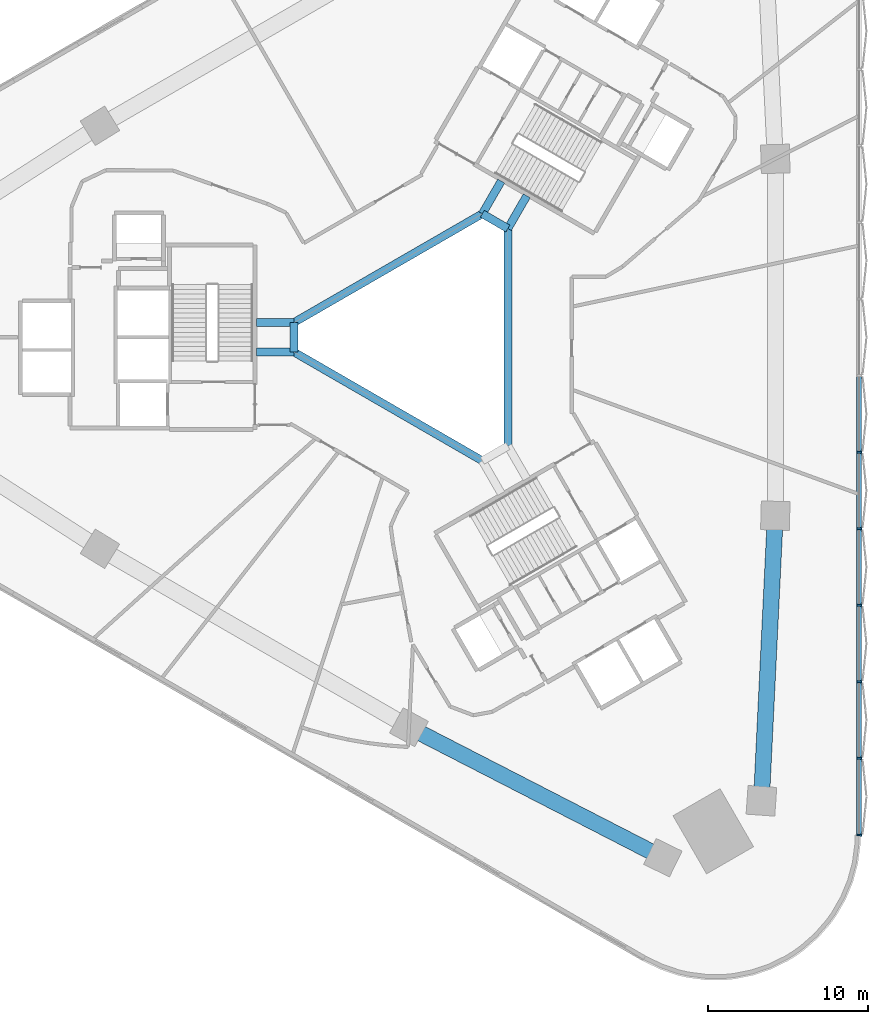
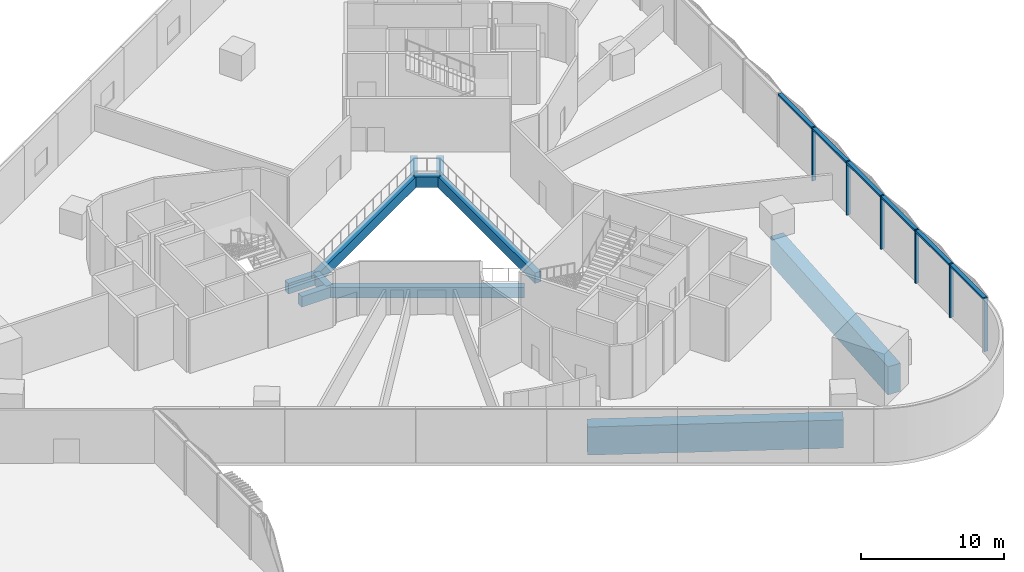
# One storey, part 6 of 24: 11 beams, 8 members, 1 element without a shape of its own.
"""IFC4 building model written with IfcOpenShell, lengths in metres."""

from ifc_helpers import new_model, si_unit, direction, frame, origin, origin_2d, place, context, subcontext, project, spatial, rectangle, extrude, material, material_profile, profile_set, type_object, element, aggregate, save


model = new_model("IFC4")

# Units and contexts
model_context = context("Model", 3, precision=1e-05, world=origin(), true_north=direction((0.0, 1.0)))
body_context = subcontext(model_context, "Body", "Model", "MODEL_VIEW")
ifc_project = project(units=[si_unit("LENGTHUNIT", "METRE"), si_unit("AREAUNIT", "SQUARE_METRE"), si_unit("VOLUMEUNIT", "CUBIC_METRE"), si_unit("PLANEANGLEUNIT", "RADIAN"), si_unit("MASSUNIT", "GRAM", prefix="KILO")], contexts=[model_context])

# Site, building, storey
site_placement = place(None, origin())
site = spatial("IfcSite", under=ifc_project, at=site_placement, CompositionType="ELEMENT")
building_placement = place(site_placement, origin())
building = spatial("IfcBuilding", under=site, at=building_placement, Name="Tamra Quay Hotel Tower", CompositionType="ELEMENT")
storey_placement = place(building_placement, frame((0.0, 0.0, 19.5)))
storey = spatial("IfcBuildingStorey", under=building, at=storey_placement, Name="L03", CompositionType="ELEMENT", Elevation=19.5)

# Beams
ifc_material_1 = material(Name="Concrete M60", Category="concrete")
ifc_material_profile_1 = material_profile(ifc_material_1, rectangle(XDim=0.5, YDim=0.89990234375, at=origin_2d()), Name="ATRIUM EDGE BEAM RC 500x900")
ifc_profile_set_1 = profile_set([ifc_material_profile_1], Name="Concrete M60")
beam_type_1 = type_object("IfcBeamType", Name="ATRIUM EDGE BEAM RC 500x900", PredefinedType="BEAM", material=ifc_profile_set_1)
beam_1_placement = place(storey_placement, frame((5.0, 6.812744140625, -0.800048828125), z_axis=(0.0, -1.0, 0.0), x_axis=(1.0, 0.0, 0.0)))
element("IfcBeam", 1, at=beam_1_placement, inside=storey, type_object=beam_type_1, Name="BM-AB0-L03", PredefinedType="BEAM", context=body_context, shape_type="SweptSolid", body=[
    extrude(rectangle(XDim=0.5, YDim=0.89990234375, at=origin_2d()), origin(), (0.0, 0.0, 1.0), 13.62548828125),
])
beam_2_placement = place(storey_placement, frame((3.39990234375, -7.736572265625, -0.800048828125), z_axis=(-0.866021471679, 0.500006810544, 0.0), x_axis=(-0.500006810544, -0.866021471679, 0.0)))
element("IfcBeam", 2, at=beam_2_placement, inside=storey, type_object=beam_type_1, Name="BM-AB2-L03", PredefinedType="BEAM", context=body_context, shape_type="SweptSolid", body=[
    extrude(rectangle(XDim=0.5, YDim=0.89990234375, at=origin_2d()), origin(), (0.0, 0.0, 1.0), 13.625244140625),
])
beam_3_placement = place(storey_placement, frame((-8.39990234375, -0.923828125, -0.800048828125), z_axis=(0.0, 1.0, 0.0), x_axis=(-1.0, 0.0, 0.0)))
element("IfcBeam", 3, at=beam_3_placement, inside=storey, type_object=beam_type_1, Name="BM-AB3-L03", PredefinedType="BEAM", context=body_context, shape_type="SweptSolid", body=[
    extrude(rectangle(XDim=0.5, YDim=0.89990234375, at=origin_2d()), origin(), (0.0, 0.0, 1.0), 1.84765625),
])
beam_4_placement = place(storey_placement, frame((-8.39990234375, 0.923828125, -0.800048828125), z_axis=(0.866021471679, 0.500006810544, 0.0), x_axis=(-0.500006810544, 0.866021471679, 0.0)))
element("IfcBeam", 4, at=beam_4_placement, inside=storey, type_object=beam_type_1, Name="BM-AB4-L03", PredefinedType="BEAM", context=body_context, shape_type="SweptSolid", body=[
    extrude(rectangle(XDim=0.5, YDim=0.89990234375, at=origin_2d()), origin(), (0.0, 0.0, 1.0), 13.625244140625),
])
beam_5_placement = place(storey_placement, frame((3.39990234375, 7.736572265625, -0.800048828125), z_axis=(0.86602275259, -0.500004591975, 0.0), x_axis=(0.500004591975, 0.86602275259, 0.0)))
element("IfcBeam", 5, at=beam_5_placement, inside=storey, type_object=beam_type_1, Name="BM-AB5-L03", PredefinedType="BEAM", context=body_context, shape_type="SweptSolid", body=[
    extrude(rectangle(XDim=0.5, YDim=0.89990234375, at=origin_2d()), origin(), (0.0, 0.0, 1.0), 1.84765625),
])
ifc_material_profile_2 = material_profile(ifc_material_1, rectangle(XDim=0.5, YDim=0.89990234375, at=origin_2d()), Name="ATRIUM TIE BEAM RC 500x900")
ifc_profile_set_2 = profile_set([ifc_material_profile_2], Name="Concrete M60")
beam_type_2 = type_object("IfcBeamType", Name="ATRIUM TIE BEAM RC 500x900", PredefinedType="BEAM", material=ifc_profile_set_2)
beam_6_placement = place(storey_placement, frame((5.0, 6.812744140625, -0.800048828125), z_axis=(0.500029618126, 0.866008303076, 0.0), x_axis=(-0.866008303076, 0.500029618126, 0.0)))
element("IfcBeam", 6, at=beam_6_placement, inside=storey, type_object=beam_type_2, Name="BM-TIE-0-L03", PredefinedType="BEAM", context=body_context, shape_type="SweptSolid", body=[
    extrude(rectangle(XDim=0.5, YDim=0.89990234375, at=origin_2d()), origin(), (0.0, 0.0, 1.0), 2.362060546875),
])
for number, where, z_axis, x_axis, name in (
    (7, (-8.39990234375, -0.923828125, -0.800048828125), (-1.0, 0.0, 0.0), (0.0, -1.0, 0.0), "BM-TIE-3-L03"),
    (8, (-8.39990234375, 0.923828125, -0.800048828125), (-1.0, 0.0, 0.0), (0.0, -1.0, 0.0), "BM-TIE-4-L03"),
):
    element("IfcBeam", number, at=place(storey_placement, frame(where, z_axis=z_axis, x_axis=x_axis)), inside=storey, type_object=beam_type_2, Name=name, PredefinedType="BEAM", context=body_context, shape_type="SweptSolid", body=[
        extrude(rectangle(XDim=0.5, YDim=0.89990234375, at=origin_2d()), origin(), (0.0, 0.0, 1.0), 2.3623046875),
    ])
beam_7_placement = place(storey_placement, frame((3.39990234375, 7.736572265625, -0.800048828125), z_axis=(0.500029618126, 0.866008303076, 0.0), x_axis=(-0.866008303076, 0.500029618126, 0.0)))
element("IfcBeam", 9, at=beam_7_placement, inside=storey, type_object=beam_type_2, Name="BM-TIE-5-L03", PredefinedType="BEAM", context=body_context, shape_type="SweptSolid", body=[
    extrude(rectangle(XDim=0.5, YDim=0.89990234375, at=origin_2d()), origin(), (0.0, 0.0, 1.0), 2.362060546875),
])

# Curtain wall, members
ifc_material_2 = material(Name="Aluminium 6063 anodised dark grey", Category="aluminium")
curtain_wall_type = type_object("IfcCurtainWallType", Name="CW4 CURTAIN WALL", PredefinedType="NOTDEFINED", material=ifc_material_2)
curtain_wall_placement = place(storey_placement, origin())
curtain_wall = element("IfcCurtainWall", 10, at=curtain_wall_placement, inside=storey, type_object=curtain_wall_type, Name="CW4 east face L03", PredefinedType="NOTDEFINED")
ifc_material_profile_3 = material_profile(ifc_material_2, rectangle(XDim=0.300048828125, YDim=0.1201171875, at=origin_2d()), Name="MULLION 120X300")
ifc_profile_set_3 = profile_set([ifc_material_profile_3], Name="Aluminium 6063 anodised dark grey")
member_type_1 = type_object("IfcMemberType", Name="MULLION CW4", PredefinedType="MULLION", material=ifc_profile_set_3)
member_1_placement = place(storey_placement, frame((27.0, -31.177001953125, 0.0), z_axis=(0.0, 0.0, 1.0), x_axis=(0.99986613791, -0.016361731626, 0.0)))
member_1 = element("IfcMember", 11, at=member_1_placement, type_object=member_type_1, Name="CW4 mullion L03.E.5", PredefinedType="MULLION", context=body_context, shape_type="SweptSolid", body=[
    extrude(rectangle(XDim=0.300048828125, YDim=0.1201171875, at=origin_2d()), origin(), (0.0, 0.0, 1.0), 4.550048828125),
])
member_2_placement = place(storey_placement, frame((27.0, -26.38037109375, 0.0), z_axis=(0.0, 0.0, 1.0), x_axis=(1.0, 0.0, 0.0)))
member_2 = element("IfcMember", 12, at=member_2_placement, type_object=member_type_1, Name="CW4 mullion L03.E.6", PredefinedType="MULLION", context=body_context, shape_type="SweptSolid", body=[
    extrude(rectangle(XDim=0.300048828125, YDim=0.1201171875, at=origin_2d()), origin(), (0.0, 0.0, 1.0), 4.550048828125),
])
member_3_placement = place(storey_placement, frame((27.0, -21.583984375, 0.0), z_axis=(0.0, 0.0, 1.0), x_axis=(1.0, 0.0, 0.0)))
member_3 = element("IfcMember", 13, at=member_3_placement, type_object=member_type_1, Name="CW4 mullion L03.E.7", PredefinedType="MULLION", context=body_context, shape_type="SweptSolid", body=[
    extrude(rectangle(XDim=0.300048828125, YDim=0.1201171875, at=origin_2d()), origin(), (0.0, 0.0, 1.0), 4.550048828125),
])
member_4_placement = place(storey_placement, frame((27.0, -16.78759765625, 0.0), z_axis=(0.0, 0.0, 1.0), x_axis=(1.0, 0.0, 0.0)))
member_4 = element("IfcMember", 14, at=member_4_placement, type_object=member_type_1, Name="CW4 mullion L03.E.8", PredefinedType="MULLION", context=body_context, shape_type="SweptSolid", body=[
    extrude(rectangle(XDim=0.300048828125, YDim=0.1201171875, at=origin_2d()), origin(), (0.0, 0.0, 1.0), 4.550048828125),
])
member_5_placement = place(storey_placement, frame((27.0, -11.9912109375, 0.0), z_axis=(0.0, 0.0, 1.0), x_axis=(1.0, 0.0, 0.0)))
member_5 = element("IfcMember", 15, at=member_5_placement, type_object=member_type_1, Name="CW4 mullion L03.E.9", PredefinedType="MULLION", context=body_context, shape_type="SweptSolid", body=[
    extrude(rectangle(XDim=0.300048828125, YDim=0.1201171875, at=origin_2d()), origin(), (0.0, 0.0, 1.0), 4.550048828125),
])
member_6_placement = place(storey_placement, frame((27.0, -7.194580078125, 0.0), z_axis=(0.0, 0.0, 1.0), x_axis=(1.0, 0.0, 0.0)))
member_6 = element("IfcMember", 16, at=member_6_placement, type_object=member_type_1, Name="CW4 mullion L03.E.10", PredefinedType="MULLION", context=body_context, shape_type="SweptSolid", body=[
    extrude(rectangle(XDim=0.300048828125, YDim=0.1201171875, at=origin_2d()), origin(), (0.0, 0.0, 1.0), 4.550048828125),
])

# Beams
ifc_material_profile_4 = material_profile(ifc_material_1, rectangle(XDim=1.0, YDim=2.39990234375, at=origin_2d()), Name="PODIUM RING GIRDER RC 1000x2400")
ifc_profile_set_4 = profile_set([ifc_material_profile_4], Name="Concrete M60")
beam_type_3 = type_object("IfcBeamType", Name="PODIUM RING GIRDER RC 1000x2400", PredefinedType="BEAM", material=ifc_profile_set_4)
beam_8_placement = place(storey_placement, frame((20.87890625, -29.033935546875, -1.550048828125), z_axis=(0.048662088022, 0.998815298836, 0.0), x_axis=(-0.998815298836, 0.048662088022, 0.0)))
element("IfcBeam", 17, at=beam_8_placement, inside=storey, type_object=beam_type_3, Name="BM-PG001-L03", PredefinedType="BEAM", context=body_context, shape_type="SweptSolid", body=[
    extrude(rectangle(XDim=1.0, YDim=2.39990234375, at=origin_2d()), origin(), (0.0, 0.0, 1.0), 17.880859375),
])
beam_9_placement = place(storey_placement, frame((-1.197265625, -24.422607421875, -1.550048828125), z_axis=(0.889334920836, -0.457256381673, 0.0), x_axis=(0.457256381673, 0.889334920836, 0.0)))
element("IfcBeam", 18, at=beam_9_placement, inside=storey, type_object=beam_type_3, Name="BM-PG009-L03", PredefinedType="BEAM", context=body_context, shape_type="SweptSolid", body=[
    extrude(rectangle(XDim=1.0, YDim=2.39990234375, at=origin_2d()), origin(), (0.0, 0.0, 1.0), 17.880615234375),
])

# Member
ifc_material_profile_5 = material_profile(ifc_material_2, rectangle(XDim=0.300048828125, YDim=0.179931640625, at=origin_2d()), Name="TRANSOM 300X180")
ifc_profile_set_5 = profile_set([ifc_material_profile_5], Name="Aluminium 6063 anodised dark grey")
member_type_2 = type_object("IfcMemberType", Name="TRANSOM CW4", PredefinedType="USERDEFINED", material=ifc_profile_set_5)
member_7_placement = place(storey_placement, frame((27.0, -31.116943359375, 4.4599609375), z_axis=(0.0, 1.0, 0.0), x_axis=(-1.0, 0.0, 0.0)))
member_7 = element("IfcMember", 19, at=member_7_placement, type_object=member_type_2, Name="CW4 transom L03.E.5", ObjectType="TRANSOM", PredefinedType="USERDEFINED", context=body_context, shape_type="SweptSolid", body=[
    extrude(rectangle(XDim=0.300048828125, YDim=0.179931640625, at=origin_2d()), origin(), (0.0, 0.0, 1.0), 14.269287109375),
])

member_8_placement = place(storey_placement, frame((27.0, -16.7275390625, 4.4599609375), z_axis=(0.0, 1.0, 0.0), x_axis=(-1.0, 0.0, 0.0)))
member_8 = element("IfcMember", 20, at=member_8_placement, type_object=member_type_2, Name="CW4 transom L03.E.8", ObjectType="TRANSOM", PredefinedType="USERDEFINED", context=body_context, shape_type="SweptSolid", body=[
    extrude(rectangle(XDim=0.300048828125, YDim=0.179931640625, at=origin_2d()), origin(), (0.0, 0.0, 1.0), 14.269287109375),
])

aggregate(curtain_wall, [member_1, member_7, member_2, member_3, member_4, member_8, member_5, member_6])

save(model, "model.ifc")
